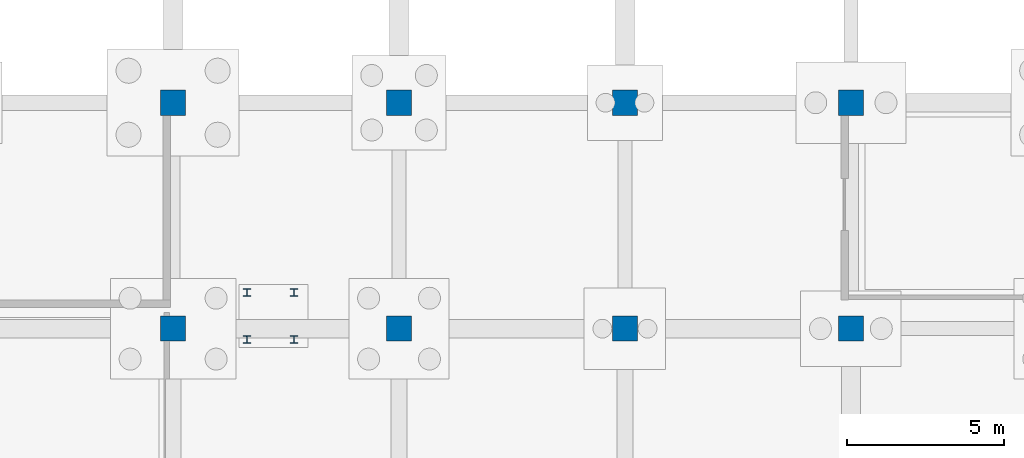
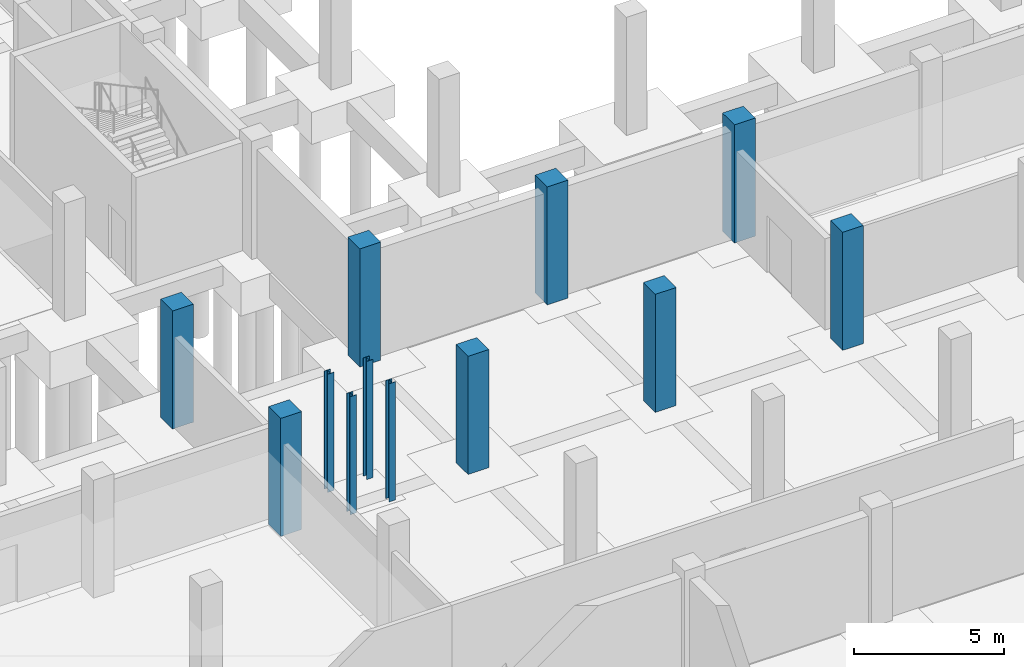
# One storey, part 18 of 38: 12 columns.
"""IFC4 building model written with IfcOpenShell, lengths in metres."""

from ifc_helpers import new_model, si_unit, direction, frame, origin, origin_2d, place, context, subcontext, project, spatial, rectangle, i_section, extrude, material, material_profile, profile_set, type_object, element, save


model = new_model("IFC4")

# Units and contexts
model_context = context("Model", 3, precision=1e-05, world=origin(), true_north=direction((0.0, 1.0)))
body_context = subcontext(model_context, "Body", "Model", "MODEL_VIEW")
ifc_project = project(units=[si_unit("LENGTHUNIT", "METRE"), si_unit("AREAUNIT", "SQUARE_METRE"), si_unit("VOLUMEUNIT", "CUBIC_METRE"), si_unit("PLANEANGLEUNIT", "RADIAN"), si_unit("MASSUNIT", "GRAM", prefix="KILO")], contexts=[model_context])

# Site, building, storey
site_placement = place(None, origin())
site = spatial("IfcSite", under=ifc_project, at=site_placement, CompositionType="ELEMENT")
building_placement = place(site_placement, origin())
building = spatial("IfcBuilding", under=site, at=building_placement, Name="Valkovuoma Quantum and Materials Research Institute", CompositionType="ELEMENT")
storey_placement = place(building_placement, frame((0.0, 0.0, -4.800048828125)))
storey = spatial("IfcBuildingStorey", under=building, at=storey_placement, Name="B1", CompositionType="ELEMENT", Elevation=-4.800048828125)

# Columns
ifc_material_1 = material(Name="Concrete C50/60", Category="concrete")
ifc_material_profile_1 = material_profile(ifc_material_1, rectangle(XDim=0.800048828125, YDim=0.800048828125, at=origin_2d()), Name="Concrete C50/60")
ifc_profile_set_1 = profile_set([ifc_material_profile_1], Name="Concrete C50/60")
column_type_1 = type_object("IfcColumnType", Name="Col-C-RC800", PredefinedType="COLUMN", material=ifc_profile_set_1)
for number, where, z_axis, x_axis, name in (
    (1, (36.0, 50.39990234375, 0.0), (0.0, 0.0, 1.0), (1.0, 0.0, 0.0), "B1 column 06H"),
    (2, (36.0, 57.60009765625, 0.0), (0.0, 0.0, 1.0), (1.0, 0.0, 0.0), "B1 column 06J"),
    (3, (43.199951171875, 50.39990234375, 0.0), (0.0, 0.0, 1.0), (1.0, 0.0, 0.0), "B1 column 07H"),
    (4, (43.199951171875, 57.60009765625, 0.0), (0.0, 0.0, 1.0), (1.0, 0.0, 0.0), "B1 column 07J"),
    (5, (50.39990234375, 50.39990234375, 0.0), (0.0, 0.0, 1.0), (1.0, 0.0, 0.0), "B1 column 08H"),
    (6, (50.39990234375, 57.60009765625, 0.0), (0.0, 0.0, 1.0), (1.0, 0.0, 0.0), "B1 column 08J"),
    (7, (57.60009765625, 50.39990234375, 0.0), (0.0, 0.0, 1.0), (1.0, 0.0, 0.0), "B1 column 09H"),
    (8, (57.60009765625, 57.60009765625, 0.0), (0.0, 0.0, 1.0), (1.0, 0.0, 0.0), "B1 column 09J"),
):
    element("IfcColumn", number, at=place(storey_placement, frame(where, z_axis=z_axis, x_axis=x_axis)), inside=storey, type_object=column_type_1, Name=name, PredefinedType="COLUMN", context=body_context, shape_type="SweptSolid", body=[
        extrude(rectangle(XDim=0.800048828125, YDim=0.800048828125, at=origin_2d()), origin(), (0.0, 0.0, 1.0), 4.800048828125),
    ])
ifc_material_2 = material(Name="Steel S355J2", Category="steel")
ifc_material_profile_2 = material_profile(ifc_material_2, i_section(OverallWidth=0.239990234375, OverallDepth=0.239990234375, WebThickness=0.010009765625, FlangeThickness=0.01708984375, FilletRadius=0.02099609375, at=origin_2d()), Name="Steel S355J2")
ifc_profile_set_2 = profile_set([ifc_material_profile_2], Name="Steel S355J2")
column_type_2 = type_object("IfcColumnType", Name="Col-C-STL240", PredefinedType="COLUMN", material=ifc_profile_set_2)
for number, where, z_axis, x_axis, name in (
    (9, (38.35009765625, 50.050048828125, 0.0), (0.0, 0.0, 1.0), (1.0, 0.0, 0.0), "B1 atrium stair landing column 1"),
    (10, (39.85009765625, 50.050048828125, 0.0), (0.0, 0.0, 1.0), (1.0, 0.0, 0.0), "B1 atrium stair landing column 2"),
    (11, (38.35009765625, 51.550048828125, 0.0), (0.0, 0.0, 1.0), (1.0, 0.0, 0.0), "B1 atrium stair landing column 3"),
    (12, (39.85009765625, 51.550048828125, 0.0), (0.0, 0.0, 1.0), (1.0, 0.0, 0.0), "B1 atrium stair landing column 4"),
):
    element("IfcColumn", number, at=place(storey_placement, frame(where, z_axis=z_axis, x_axis=x_axis)), inside=storey, type_object=column_type_2, Name=name, PredefinedType="COLUMN", context=body_context, shape_type="SweptSolid", body=[
        extrude(i_section(OverallWidth=0.239990234375, OverallDepth=0.239990234375, WebThickness=0.010009765625, FlangeThickness=0.01708984375, FilletRadius=0.02099609375, at=origin_2d()), origin(), (0.0, 0.0, 1.0), 4.800048828125),
    ])

save(model, "model.ifc")
